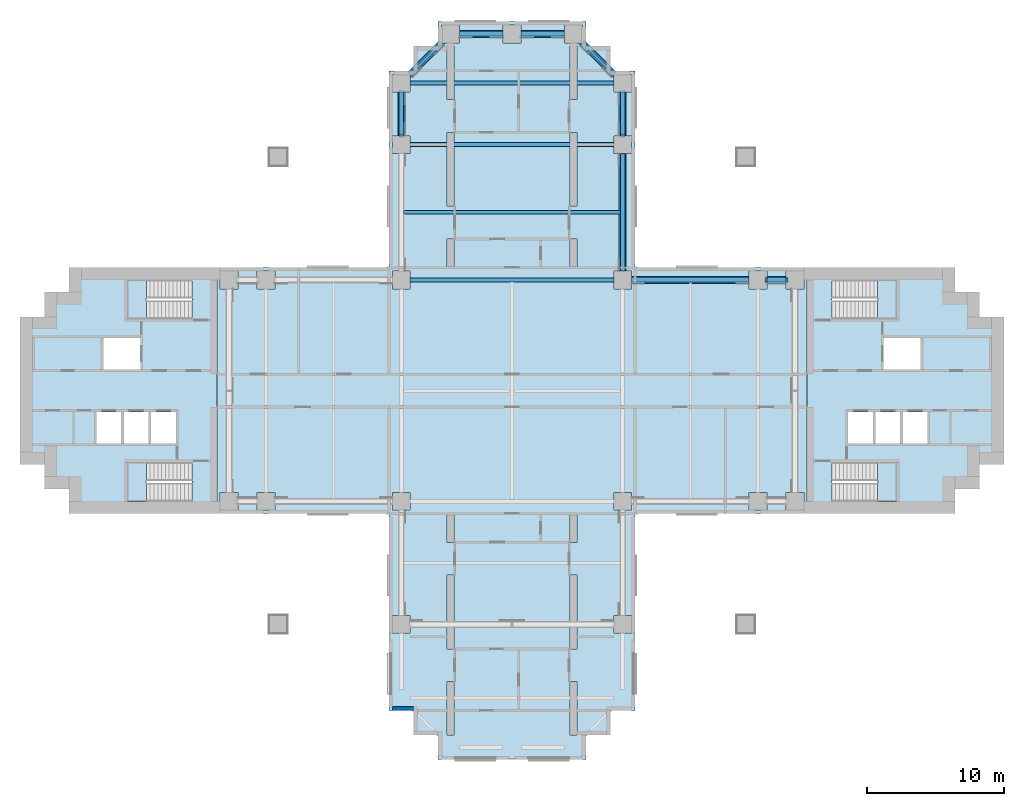
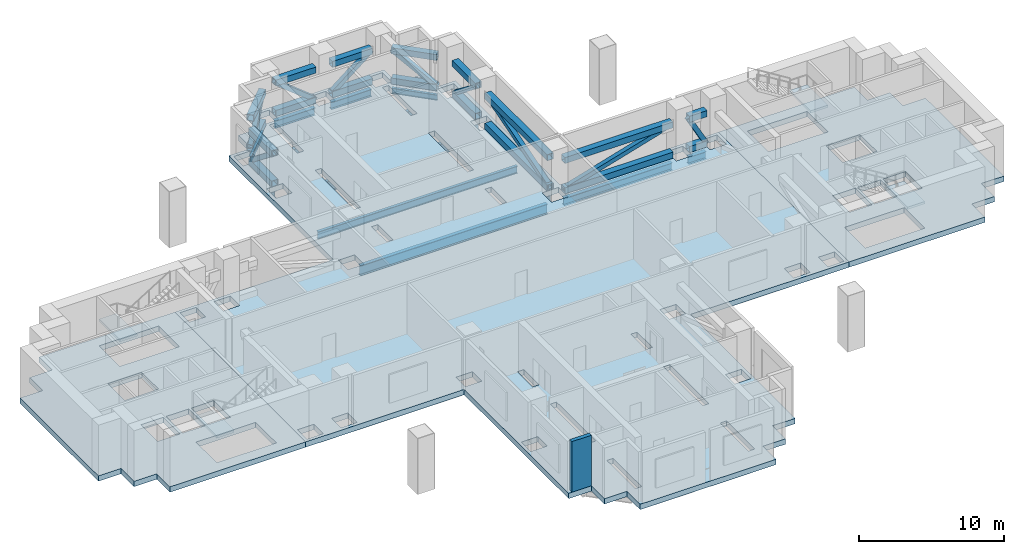
# One storey, part 2 of 10: 27 members, 13 beams, 7 slabs, 1 wall, 4 elements without a shape of their own.
"""IFC4 building model written with IfcOpenShell, lengths in metres."""

import ifcopenshell
import ifcopenshell.guid

model = None  # the IFC model being written
_history = None  # IfcOwnerHistory: only IFC2X3 demands one
_inside = {}  # id of a spatial element -> (the spatial element, [elements in it])
_under = {}  # id of a project, library or spatial element -> (it, [spatial elements below it])
_declared = {}  # id of a project -> (the project, [libraries it declares])
_typed = {}  # id of a type object -> (the type object, [elements of that type])
_made_of = {}  # id of a material, layer set ... -> (it, [elements and type objects made of it])


def new_model(schema):
    """Start an empty IFC model of exactly this schema.

    Asked for "IFC4X3", IfcOpenShell would pick the latest addendum, in which some entities
    have other attributes; the version numbers below select the first issue.
    IFC2X3 requires an IfcOwnerHistory on every rooted entity: one is made here for all.
    """
    global model, _history
    if schema == "IFC4X3":
        model = ifcopenshell.file(schema_version=(4, 3, 0, 0))
    else:
        model = ifcopenshell.file(schema=schema)
    _inside.clear()
    _under.clear()
    _declared.clear()
    _typed.clear()
    _made_of.clear()
    _history = None
    if model.schema == "IFC2X3":
        org = make("IfcOrganization", Name="unknown")
        user = make(
            "IfcPersonAndOrganization",
            ThePerson=make("IfcPerson", FamilyName="unknown"),
            TheOrganization=org,
        )
        app = make(
            "IfcApplication",
            ApplicationDeveloper=org,
            Version="unknown",
            ApplicationFullName="unknown",
            ApplicationIdentifier="unknown",
        )
        _history = make(
            "IfcOwnerHistory",
            OwningUser=user,
            OwningApplication=app,
            ChangeAction="ADDED",
            CreationDate=0,
        )
    return model


def make(cls, **values):
    """One entity of the class cls with the attributes given. An attribute that is None is left unset."""
    return model.create_entity(
        cls, **{name: value for name, value in values.items() if value is not None}
    )


def rooted(cls, **values):
    """An entity with a GlobalId (a new one), such as an element, a storey or a relation."""
    return make(cls, GlobalId=ifcopenshell.guid.new(), OwnerHistory=_history, **values)


def si_unit(unit_type, name, prefix=None):
    """IfcSIUnit, for example si_unit("LENGTHUNIT", "METRE", prefix="MILLI")."""
    return make("IfcSIUnit", UnitType=unit_type, Prefix=prefix, Name=name)


def assignment(units):
    """IfcUnitAssignment: the units of a project."""
    return None if units is None else make("IfcUnitAssignment", Units=units)


def point(xyz):
    """IfcCartesianPoint."""
    return None if xyz is None else make("IfcCartesianPoint", Coordinates=xyz)


def direction(xyz):
    """IfcDirection."""
    return None if xyz is None else make("IfcDirection", DirectionRatios=xyz)


def frame(location, z_axis=None, x_axis=None):
    """IfcAxis2Placement3D, a coordinate frame: its origin and axes. An axis left out is left unset."""
    return make(
        "IfcAxis2Placement3D",
        Location=point(location),
        Axis=direction(z_axis),
        RefDirection=direction(x_axis),
    )


def frame_2d(location, x_axis=None):
    """IfcAxis2Placement2D, a coordinate frame in the plane: its origin and x axis."""
    return make(
        "IfcAxis2Placement2D", Location=point(location), RefDirection=direction(x_axis)
    )


def origin():
    """The frame at (0, 0, 0) with its axes left unset."""
    return frame((0.0, 0.0, 0.0))


def origin_2d():
    """The frame at (0, 0) in the plane with its x axis left unset."""
    return frame_2d((0.0, 0.0))


def place(relative_to, where):
    """IfcLocalPlacement: puts the frame where relative to a parent placement (None: the world)."""
    return make(
        "IfcLocalPlacement", PlacementRelTo=relative_to, RelativePlacement=where
    )


def context(
    kind, dimensions, precision=None, world=None, true_north=None, identifier=None
):
    """IfcGeometricRepresentationContext, for example the 3D "Model" context."""
    return make(
        "IfcGeometricRepresentationContext",
        ContextIdentifier=identifier,
        ContextType=kind,
        CoordinateSpaceDimension=dimensions,
        Precision=precision,
        WorldCoordinateSystem=world,
        TrueNorth=true_north,
    )


def subcontext(parent, identifier, kind, view, scale=None):
    """IfcGeometricRepresentationSubContext, for example "Body" below "Model"."""
    return make(
        "IfcGeometricRepresentationSubContext",
        ContextIdentifier=identifier,
        ContextType=kind,
        ParentContext=parent,
        TargetScale=scale,
        TargetView=view,
    )


def project(units=None, contexts=None):
    """IfcProject with its units and contexts."""
    return rooted(
        "IfcProject",
        Name="project",
        RepresentationContexts=contexts,
        UnitsInContext=assignment(units),
    )


def spatial(cls, under=None, at=None, **own):
    """A site, building, storey or space (cls), placed at a placement, below another one or the project."""
    s = rooted(cls, ObjectPlacement=at, **own)
    if under is not None:
        _under.setdefault(under.id(), (under, []))[1].append(s)
    return s


def polyline(points):
    """IfcPolyline through the points."""
    return make("IfcPolyline", Points=[point(p) for p in points])


def profile(cls, at=None, kind="AREA", **sizes):
    """A parametric profile (cls). Its sizes go by their IFC names, for example OverallWidth=200.0."""
    return make(cls, ProfileType=kind, Position=at, **sizes)


def rectangle(**sizes):
    """IfcRectangleProfileDef."""
    return profile("IfcRectangleProfileDef", **sizes)


def hollow_rectangle(**sizes):
    """IfcRectangleHollowProfileDef."""
    return profile("IfcRectangleHollowProfileDef", **sizes)


def i_section(**sizes):
    """IfcIShapeProfileDef."""
    return profile("IfcIShapeProfileDef", **sizes)


def outline(outer, holes=None, kind="AREA"):
    """IfcArbitraryClosedProfileDef: a profile drawn as a closed curve; with holes, ...WithVoids."""
    if holes is None:
        return make("IfcArbitraryClosedProfileDef", ProfileType=kind, OuterCurve=outer)
    return make(
        "IfcArbitraryProfileDefWithVoids",
        ProfileType=kind,
        OuterCurve=outer,
        InnerCurves=holes,
    )


def extrude(swept, where, along, depth):
    """IfcExtrudedAreaSolid: the profile swept, set in the frame where, extruded along a direction by depth."""
    return make(
        "IfcExtrudedAreaSolid",
        SweptArea=swept,
        Position=where,
        ExtrudedDirection=direction(along),
        Depth=depth,
    )


def shape(context_of_items, identifier, shape_type, items):
    """IfcShapeRepresentation: the items that make up one representation, for example the "Body"."""
    return make(
        "IfcShapeRepresentation",
        ContextOfItems=context_of_items,
        RepresentationIdentifier=identifier,
        RepresentationType=shape_type,
        Items=items,
    )


def material(Name=None, Category=None):
    """IfcMaterial."""
    return make("IfcMaterial", Name=Name, Category=Category)


def layer(
    of_material, thickness, ventilated=None, Name=None, Category=None, Priority=None
):
    """IfcMaterialLayer: one layer of a wall or slab, of a material (None: an air gap)."""
    return make(
        "IfcMaterialLayer",
        Material=of_material,
        LayerThickness=thickness,
        IsVentilated=ventilated,
        Name=Name,
        Category=Category,
        Priority=Priority,
    )


def layer_set(layers, Name=None):
    """IfcMaterialLayerSet."""
    return make("IfcMaterialLayerSet", MaterialLayers=layers, LayerSetName=Name)


def material_profile(
    of_material, cross_section, Name=None, Category=None, Priority=None
):
    """IfcMaterialProfile: a cross section and its material."""
    return make(
        "IfcMaterialProfile",
        Name=Name,
        Material=of_material,
        Profile=cross_section,
        Priority=Priority,
        Category=Category,
    )


def profile_set(profiles, Name=None, composite=None):
    """IfcMaterialProfileSet."""
    return make(
        "IfcMaterialProfileSet",
        Name=Name,
        MaterialProfiles=profiles,
        CompositeProfile=composite,
    )


def made_of(thing, what):
    """Note that an element or type object is made of a material, layer set ...; save() writes the relation."""
    if what is not None:
        _made_of.setdefault(what.id(), (what, []))[1].append(thing)
    return thing


def type_object(cls, material=None, **own):
    """A type object (cls), such as IfcWallType, which elements share."""
    return made_of(rooted(cls, **own), material)


def element(
    cls,
    number,
    at=None,
    inside=None,
    cuts=None,
    type_object=None,
    material=None,
    context=None,
    identifier="Body",
    shape_type=None,
    held_by="IfcProductDefinitionShape",
    body=None,
    shapes=None,
    **own,
):
    """One element of the class cls, such as IfcWall. Its Tag is "e" and its number.

    at: its placement. inside: the storey or other place that contains it. cuts: it is an
    opening in that element (IfcRelVoidsElement). A single representation is given by context,
    identifier, shape_type and body (its items); several are given by shapes. held_by: the class
    of the entity that holds the representations. save() writes the other relations.
    """
    e = rooted(cls, Tag="e%d" % number, ObjectPlacement=at, **own)
    if body is not None:
        shapes = [shape(context, identifier, shape_type, body)]
    if shapes is not None:
        e.Representation = make(held_by, Representations=shapes)
    if inside is not None:
        _inside.setdefault(inside.id(), (inside, []))[1].append(e)
    if cuts is not None:
        rooted(
            "IfcRelVoidsElement", RelatingBuildingElement=cuts, RelatedOpeningElement=e
        )
    if type_object is not None:
        _typed.setdefault(type_object.id(), (type_object, []))[1].append(e)
    return made_of(e, material)


def aggregate(whole, parts):
    """IfcRelAggregates: a whole, such as a stair, and the parts it consists of."""
    return rooted("IfcRelAggregates", RelatingObject=whole, RelatedObjects=parts)


def save(model, path):
    """Write the relations noted so far, then the file.

    IfcRelAggregates (storeys below a building ...), IfcRelContainedInSpatialStructure (elements
    in a storey), IfcRelDefinesByType, IfcRelAssociatesMaterial and IfcRelDeclares: one each for
    every whole, place, type object, material and project.
    """
    for whole, parts in _under.values():
        aggregate(whole, parts)
    for where, things in _inside.values():
        rooted(
            "IfcRelContainedInSpatialStructure",
            RelatedElements=things,
            RelatingStructure=where,
        )
    for kind, things in _typed.values():
        rooted("IfcRelDefinesByType", RelatedObjects=things, RelatingType=kind)
    for what, things in _made_of.values():
        rooted("IfcRelAssociatesMaterial", RelatedObjects=things, RelatingMaterial=what)
    for by, libraries in _declared.values():
        rooted("IfcRelDeclares", RelatingContext=by, RelatedDefinitions=libraries)
    model.write(path)


model = new_model("IFC4")

# Units and contexts
model_context = context("Model", 3, precision=1e-05, world=origin(), true_north=direction((0.0, 1.0)))
body_context = subcontext(model_context, "Body", "Model", "MODEL_VIEW")
ifc_project = project(units=[si_unit("LENGTHUNIT", "METRE"), si_unit("AREAUNIT", "SQUARE_METRE"), si_unit("VOLUMEUNIT", "CUBIC_METRE"), si_unit("PLANEANGLEUNIT", "RADIAN"), si_unit("MASSUNIT", "GRAM", prefix="KILO")], contexts=[model_context])

# Site, building, storey
site_placement = place(None, origin())
site = spatial("IfcSite", under=ifc_project, at=site_placement, CompositionType="ELEMENT")
building_placement = place(site_placement, origin())
building = spatial("IfcBuilding", under=site, at=building_placement, Name="Perihelion Cross Residences", CompositionType="ELEMENT")
storey_placement = place(building_placement, frame((0.0, 0.0, 97.89990234375)))
storey = spatial("IfcBuildingStorey", under=building, at=storey_placement, Name="L22", CompositionType="ELEMENT", Elevation=97.89990234375)

# Members
ifc_material_1 = material(Name="Steel S355", Category="steel")
ifc_material_profile_1 = material_profile(ifc_material_1, hollow_rectangle(XDim=0.508056640625, YDim=0.508056640625, WallThickness=0.022216796875, at=origin_2d()), Name="HSS508x508x22.2")
ifc_profile_set_1 = profile_set([ifc_material_profile_1], Name="Steel S355")
member_type_1 = type_object("IfcMemberType", Name="Belt truss chord HSS508x508x22.2", PredefinedType="CHORD", material=ifc_profile_set_1)
for number, where, z_axis, x_axis, name in (
    (1, (20.050048828125, 8.10009765625, 2.796142578125), (-1.0, 0.0, 0.0), (0.0, -1.0, 0.0), "Belt truss BT1 L22 top no. 15"),
    (2, (20.050048828125, 8.10009765625, 0.254150390625), (-1.0, 0.0, 0.0), (0.0, -1.0, 0.0), "Belt truss BT1 L22 bottom no. 12"),
):
    element("IfcMember", number, at=place(storey_placement, frame(where, z_axis=z_axis, x_axis=x_axis)), inside=storey, type_object=member_type_1, Name=name, PredefinedType="CHORD", context=body_context, shape_type="SweptSolid", body=[
        extrude(hollow_rectangle(XDim=0.508056640625, YDim=0.508056640625, WallThickness=0.022216796875, at=origin_2d()), origin(), (0.0, 0.0, 1.0), 1.400146484375),
    ])
for number, where, z_axis, x_axis, name in (
    (3, (17.35009765625, 8.10009765625, 2.796142578125), (-1.0, 0.0, 0.0), (0.0, -1.0, 0.0), "Belt truss BT1 L22 top no. 13"),
    (4, (17.35009765625, 8.10009765625, 0.254150390625), (-1.0, 0.0, 0.0), (0.0, -1.0, 0.0), "Belt truss BT1 L22 bottom no. 11"),
    (5, (8.10009765625, 8.75, 2.796142578125), (0.0, 1.0, 0.0), (-1.0, 0.0, 0.0), "Belt truss BT1 L22 top no. 21"),
    (6, (8.10009765625, 8.75, 0.254150390625), (0.0, 1.0, 0.0), (-1.0, 0.0, 0.0), "Belt truss BT1 L22 bottom no. 18"),
):
    element("IfcMember", number, at=place(storey_placement, frame(where, z_axis=z_axis, x_axis=x_axis)), inside=storey, type_object=member_type_1, Name=name, PredefinedType="CHORD", context=body_context, shape_type="SweptSolid", body=[
        extrude(hollow_rectangle(XDim=0.508056640625, YDim=0.508056640625, WallThickness=0.022216796875, at=origin_2d()), origin(), (0.0, 0.0, 1.0), 8.60009765625),
    ])
for number, where, z_axis, x_axis, name in (
    (7, (8.10009765625, 18.64990234375, 2.796142578125), (0.0, 1.0, 0.0), (-1.0, 0.0, 0.0), "Belt truss BT1 L22 top no. 19"),
    (8, (8.10009765625, 18.64990234375, 0.254150390625), (0.0, 1.0, 0.0), (-1.0, 0.0, 0.0), "Belt truss BT1 L22 bottom no. 16"),
):
    element("IfcMember", number, at=place(storey_placement, frame(where, z_axis=z_axis, x_axis=x_axis)), inside=storey, type_object=member_type_1, Name=name, PredefinedType="CHORD", context=body_context, shape_type="SweptSolid", body=[
        extrude(hollow_rectangle(XDim=0.508056640625, YDim=0.508056640625, WallThickness=0.022216796875, at=origin_2d()), origin(), (0.0, 0.0, 1.0), 3.2001953125),
    ])
for number, where, z_axis, x_axis, name in (
    (9, (7.449951171875, 23.14990234375, 2.796142578125), (-0.707106781187, 0.707106781187, 0.0), (-0.707106781187, -0.707106781187, 0.0), "Belt truss BT1 L22 top no. 20"),
    (10, (7.449951171875, 23.14990234375, 0.254150390625), (-0.707106781187, 0.707106781187, 0.0), (-0.707106781187, -0.707106781187, 0.0), "Belt truss BT1 L22 bottom no. 17"),
):
    element("IfcMember", number, at=place(storey_placement, frame(where, z_axis=z_axis, x_axis=x_axis)), inside=storey, type_object=member_type_1, Name=name, PredefinedType="CHORD", context=body_context, shape_type="SweptSolid", body=[
        extrude(hollow_rectangle(XDim=0.508056640625, YDim=0.508056640625, WallThickness=0.022216796875, at=origin_2d()), origin(), (0.0, 0.0, 1.0), 3.252685546875),
    ])
for number, where, z_axis, x_axis, name in (
    (11, (3.85009765625, 26.10009765625, 2.796142578125), (-1.0, 0.0, 0.0), (0.0, -1.0, 0.0), "Belt truss BT1 L22 top no. 16"),
    (12, (3.85009765625, 26.10009765625, 0.254150390625), (-1.0, 0.0, 0.0), (0.0, -1.0, 0.0), "Belt truss BT1 L22 bottom no. 13"),
    (13, (-0.64990234375, 26.10009765625, 2.796142578125), (-1.0, 0.0, 0.0), (0.0, -1.0, 0.0), "Belt truss BT1 L22 top no. 11"),
    (14, (-0.64990234375, 26.10009765625, 0.254150390625), (-1.0, 0.0, 0.0), (0.0, -1.0, 0.0), "Belt truss BT1 L22 bottom no. 9"),
):
    element("IfcMember", number, at=place(storey_placement, frame(where, z_axis=z_axis, x_axis=x_axis)), inside=storey, type_object=member_type_1, Name=name, PredefinedType="CHORD", context=body_context, shape_type="SweptSolid", body=[
        extrude(hollow_rectangle(XDim=0.508056640625, YDim=0.508056640625, WallThickness=0.022216796875, at=origin_2d()), origin(), (0.0, 0.0, 1.0), 3.2001953125),
    ])
for number, where, z_axis, x_axis, name in (
    (15, (-5.14990234375, 25.449951171875, 2.796142578125), (-0.707106781187, -0.707106781187, 0.0), (0.707106781187, -0.707106781187, 0.0), "Belt truss BT1 L22 top no. 5"),
    (16, (-5.14990234375, 25.449951171875, 0.254150390625), (-0.707106781187, -0.707106781187, 0.0), (0.707106781187, -0.707106781187, 0.0), "Belt truss BT1 L22 bottom no. 4"),
):
    element("IfcMember", number, at=place(storey_placement, frame(where, z_axis=z_axis, x_axis=x_axis)), inside=storey, type_object=member_type_1, Name=name, PredefinedType="CHORD", context=body_context, shape_type="SweptSolid", body=[
        extrude(hollow_rectangle(XDim=0.508056640625, YDim=0.508056640625, WallThickness=0.022216796875, at=origin_2d()), origin(), (0.0, 0.0, 1.0), 3.252685546875),
    ])
for number, where, z_axis, x_axis, name in (
    (17, (-8.10009765625, 21.85009765625, 2.796142578125), (0.0, -1.0, 0.0), (1.0, 0.0, 0.0), "Belt truss BT1 L22 top no. 9"),
    (18, (-8.10009765625, 21.85009765625, 0.254150390625), (0.0, -1.0, 0.0), (1.0, 0.0, 0.0), "Belt truss BT1 L22 bottom no. 7"),
):
    element("IfcMember", number, at=place(storey_placement, frame(where, z_axis=z_axis, x_axis=x_axis)), inside=storey, type_object=member_type_1, Name=name, PredefinedType="CHORD", context=body_context, shape_type="SweptSolid", body=[
        extrude(hollow_rectangle(XDim=0.508056640625, YDim=0.508056640625, WallThickness=0.022216796875, at=origin_2d()), origin(), (0.0, 0.0, 1.0), 3.2001953125),
    ])
ifc_material_2 = material(Name="Steel S355", Category="steel")
ifc_material_profile_2 = material_profile(ifc_material_2, hollow_rectangle(XDim=0.35595703125, YDim=0.35595703125, WallThickness=0.015869140625, at=origin_2d()), Name="HSS355.6x355.6x15.9")
ifc_profile_set_2 = profile_set([ifc_material_profile_2], Name="Steel S355")
member_type_2 = type_object("IfcMemberType", Name="Belt truss diagonal HSS355.6x355.6x15.9", PredefinedType="BRACE", material=ifc_profile_set_2)
member_1_placement = place(storey_placement, frame((20.050048828125, 8.10009765625, 0.254150390625), z_axis=(-0.482461195839, 0.0, 0.875917344565), x_axis=(0.0, -1.0, 0.0)))
element("IfcMember", 19, at=member_1_placement, inside=storey, type_object=member_type_2, Name="Belt truss BT2 L22 diagonal no. 12", PredefinedType="BRACE", context=body_context, shape_type="SweptSolid", body=[
    extrude(hollow_rectangle(XDim=0.35595703125, YDim=0.35595703125, WallThickness=0.015869140625, at=origin_2d()), origin(), (0.0, 0.0, 1.0), 2.902099609375),
])
for number, where, z_axis, x_axis, name in (
    (20, (8.75, 8.10009765625, 0.254150390625), (0.958985757642, 0.0, 0.283454258462), (0.0, 1.0, 0.0), "Belt truss BT2 L22 diagonal no. 11"),
    (21, (8.10009765625, 8.75, 0.254150390625), (0.0, 0.958985757642, 0.283454258462), (-1.0, 0.0, 0.0), "Belt truss BT2 L22 diagonal no. 18"),
):
    element("IfcMember", number, at=place(storey_placement, frame(where, z_axis=z_axis, x_axis=x_axis)), inside=storey, type_object=member_type_2, Name=name, PredefinedType="BRACE", context=body_context, shape_type="SweptSolid", body=[
        extrude(hollow_rectangle(XDim=0.35595703125, YDim=0.35595703125, WallThickness=0.015869140625, at=origin_2d()), origin(), (0.0, 0.0, 1.0), 8.968017578125),
    ])
member_2_placement = place(storey_placement, frame((8.10009765625, 21.85009765625, 0.254150390625), z_axis=(0.0, -0.783032121533, 0.621981267119), x_axis=(1.0, 0.0, 0.0)))
element("IfcMember", 22, at=member_2_placement, inside=storey, type_object=member_type_2, Name="Belt truss BT2 L22 diagonal no. 16", PredefinedType="BRACE", context=body_context, shape_type="SweptSolid", body=[
    extrude(hollow_rectangle(XDim=0.35595703125, YDim=0.35595703125, WallThickness=0.015869140625, at=origin_2d()), origin(), (0.0, 0.0, 1.0), 4.0869140625),
])
member_3_placement = place(storey_placement, frame((7.449951171875, 23.14990234375, 0.254150390625), z_axis=(-0.557153117059, 0.557153117059, 0.615760349732), x_axis=(-0.707106781187, -0.707106781187, 0.0)))
element("IfcMember", 23, at=member_3_placement, inside=storey, type_object=member_type_2, Name="Belt truss BT2 L22 diagonal no. 17", PredefinedType="BRACE", context=body_context, shape_type="SweptSolid", body=[
    extrude(hollow_rectangle(XDim=0.35595703125, YDim=0.35595703125, WallThickness=0.015869140625, at=origin_2d()), origin(), (0.0, 0.0, 1.0), 4.128173828125),
])
for number, where, z_axis, x_axis, name in (
    (24, (0.64990234375, 26.10009765625, 0.254150390625), (0.783032121533, 0.0, 0.621981267119), (0.0, 1.0, 0.0), "Belt truss BT2 L22 diagonal no. 13"),
    (25, (-0.64990234375, 26.10009765625, 0.254150390625), (-0.783032121533, 0.0, 0.621981267119), (0.0, -1.0, 0.0), "Belt truss BT2 L22 diagonal no. 9"),
):
    element("IfcMember", number, at=place(storey_placement, frame(where, z_axis=z_axis, x_axis=x_axis)), inside=storey, type_object=member_type_2, Name=name, PredefinedType="BRACE", context=body_context, shape_type="SweptSolid", body=[
        extrude(hollow_rectangle(XDim=0.35595703125, YDim=0.35595703125, WallThickness=0.015869140625, at=origin_2d()), origin(), (0.0, 0.0, 1.0), 4.0869140625),
    ])
member_4_placement = place(storey_placement, frame((-7.449951171875, 23.14990234375, 0.254150390625), z_axis=(0.557153117059, 0.557153117059, 0.615760349732), x_axis=(-0.707106781187, 0.707106781187, 0.0)))
element("IfcMember", 26, at=member_4_placement, inside=storey, type_object=member_type_2, Name="Belt truss BT2 L22 diagonal no. 4", PredefinedType="BRACE", context=body_context, shape_type="SweptSolid", body=[
    extrude(hollow_rectangle(XDim=0.35595703125, YDim=0.35595703125, WallThickness=0.015869140625, at=origin_2d()), origin(), (0.0, 0.0, 1.0), 4.128173828125),
])
member_5_placement = place(storey_placement, frame((-8.10009765625, 21.85009765625, 0.254150390625), z_axis=(0.0, -0.783032121533, 0.621981267119), x_axis=(1.0, 0.0, 0.0)))
element("IfcMember", 27, at=member_5_placement, inside=storey, type_object=member_type_2, Name="Belt truss BT2 L22 diagonal no. 7", PredefinedType="BRACE", context=body_context, shape_type="SweptSolid", body=[
    extrude(hollow_rectangle(XDim=0.35595703125, YDim=0.35595703125, WallThickness=0.015869140625, at=origin_2d()), origin(), (0.0, 0.0, 1.0), 4.0869140625),
])

# Beams
ifc_material_3 = material(Name="Steel S355", Category="steel")
ifc_material_profile_3 = material_profile(ifc_material_3, i_section(OverallWidth=0.324951171875, OverallDepth=0.616943359375, WebThickness=0.013916015625, FlangeThickness=0.021484375, at=origin_2d()), Name="W610x174")
ifc_profile_set_3 = profile_set([ifc_material_profile_3], Name="Steel S355")
beam_type_1 = type_object("IfcBeamType", Name="Edge beam W610x174", PredefinedType="SPANDREL", material=ifc_profile_set_3)
beam_1_placement = place(storey_placement, frame((20.050048828125, 8.10009765625, -0.75830078125), z_axis=(-1.0, 0.0, 0.0), x_axis=(0.0, -1.0, 0.0)))
element("IfcBeam", 28, at=beam_1_placement, inside=storey, type_object=beam_type_1, Name="Edge beam SB2 L22 no. 14", PredefinedType="SPANDREL", context=body_context, shape_type="SweptSolid", body=[
    extrude(i_section(OverallWidth=0.324951171875, OverallDepth=0.616943359375, WebThickness=0.013916015625, FlangeThickness=0.021484375, at=origin_2d()), origin(), (0.0, 0.0, 1.0), 1.400146484375),
])
for number, where, z_axis, x_axis, name in (
    (29, (17.35009765625, 8.10009765625, -0.75830078125), (-1.0, 0.0, 0.0), (0.0, -1.0, 0.0), "Edge beam SB2 L22 no. 13"),
    (30, (8.10009765625, 8.75, -0.75830078125), (0.0, 1.0, 0.0), (-1.0, 0.0, 0.0), "Edge beam SB2 L22 no. 20"),
):
    element("IfcBeam", number, at=place(storey_placement, frame(where, z_axis=z_axis, x_axis=x_axis)), inside=storey, type_object=beam_type_1, Name=name, PredefinedType="SPANDREL", context=body_context, shape_type="SweptSolid", body=[
        extrude(i_section(OverallWidth=0.324951171875, OverallDepth=0.616943359375, WebThickness=0.013916015625, FlangeThickness=0.021484375, at=origin_2d()), origin(), (0.0, 0.0, 1.0), 8.60009765625),
    ])
for number, where, z_axis, x_axis, name in (
    (31, (8.10009765625, 18.64990234375, -0.75830078125), (0.0, 1.0, 0.0), (-1.0, 0.0, 0.0), "Edge beam SB2 L22 no. 19"),
    (32, (3.85009765625, 26.10009765625, -0.75830078125), (-1.0, 0.0, 0.0), (0.0, -1.0, 0.0), "Edge beam SB2 L22 no. 15"),
    (33, (-0.64990234375, 26.10009765625, -0.75830078125), (-1.0, 0.0, 0.0), (0.0, -1.0, 0.0), "Edge beam SB2 L22 no. 11"),
    (34, (-8.10009765625, 21.85009765625, -0.75830078125), (0.0, -1.0, 0.0), (1.0, 0.0, 0.0), "Edge beam SB2 L22 no. 8"),
):
    element("IfcBeam", number, at=place(storey_placement, frame(where, z_axis=z_axis, x_axis=x_axis)), inside=storey, type_object=beam_type_1, Name=name, PredefinedType="SPANDREL", context=body_context, shape_type="SweptSolid", body=[
        extrude(i_section(OverallWidth=0.324951171875, OverallDepth=0.616943359375, WebThickness=0.013916015625, FlangeThickness=0.021484375, at=origin_2d()), origin(), (0.0, 0.0, 1.0), 3.2001953125),
    ])
ifc_material_4 = material(Name="Steel S355", Category="steel")
ifc_material_profile_4 = material_profile(ifc_material_4, i_section(OverallWidth=0.304931640625, OverallDepth=0.904052734375, WebThickness=0.01513671875, FlangeThickness=0.02001953125, at=origin_2d()), Name="W920x201")
ifc_profile_set_4 = profile_set([ifc_material_profile_4], Name="Steel S355")
beam_type_2 = type_object("IfcBeamType", Name="Floor girder W920x201", PredefinedType="BEAM", material=ifc_profile_set_4)
for number, where, z_axis, x_axis, name in (
    (35, (-7.449951171875, 18.0, -0.90185546875), (1.0, 0.0, 0.0), (0.0, 1.0, 0.0), "Girder G2 L22 no. 5"),
    (36, (-7.449951171875, 22.5, -0.90185546875), (1.0, 0.0, 0.0), (0.0, 1.0, 0.0), "Girder G2 L22 no. 6"),
):
    element("IfcBeam", number, at=place(storey_placement, frame(where, z_axis=z_axis, x_axis=x_axis)), inside=storey, type_object=beam_type_2, Name=name, PredefinedType="BEAM", context=body_context, shape_type="SweptSolid", body=[
        extrude(i_section(OverallWidth=0.304931640625, OverallDepth=0.904052734375, WebThickness=0.01513671875, FlangeThickness=0.02001953125, at=origin_2d()), origin(), (0.0, 0.0, 1.0), 14.89990234375),
    ])
ifc_material_5 = material(Name="Steel S355", Category="steel")
ifc_material_profile_5 = material_profile(ifc_material_5, i_section(OverallWidth=0.22900390625, OverallDepth=0.612060546875, WebThickness=0.011962890625, FlangeThickness=0.01953125, at=origin_2d()), Name="W610x125")
ifc_profile_set_5 = profile_set([ifc_material_profile_5], Name="Steel S355")
beam_type_3 = type_object("IfcBeamType", Name="Floor joist W610x125", PredefinedType="JOIST", material=ifc_profile_set_5)
beam_2_placement = place(storey_placement, frame((-7.9375, 13.050048828125, -0.755859375), z_axis=(1.0, 0.0, 0.0), x_axis=(0.0, 1.0, 0.0)))
element("IfcBeam", 37, at=beam_2_placement, inside=storey, type_object=beam_type_3, Name="Joist J3 L22 no. 4", PredefinedType="JOIST", context=body_context, shape_type="SweptSolid", body=[
    extrude(i_section(OverallWidth=0.22900390625, OverallDepth=0.612060546875, WebThickness=0.011962890625, FlangeThickness=0.01953125, at=origin_2d()), origin(), (0.0, 0.0, 1.0), 15.875),
])
ifc_material_6 = material(Name="Steel S355", Category="steel")
ifc_material_profile_6 = material_profile(ifc_material_6, i_section(OverallWidth=0.2919921875, OverallDepth=0.85888671875, WebThickness=0.01708984375, FlangeThickness=0.031005859375, at=origin_2d()), Name="W840x251")
ifc_profile_set_6 = profile_set([ifc_material_profile_6], Name="Steel S355")
beam_type_4 = type_object("IfcBeamType", Name="Hub ring girder W840x251", PredefinedType="BEAM", material=ifc_profile_set_6)
beam_3_placement = place(storey_placement, frame((7.449951171875, 8.10009765625, -0.87939453125), z_axis=(-1.0, 0.0, 0.0), x_axis=(0.0, -1.0, 0.0)))
element("IfcBeam", 38, at=beam_3_placement, inside=storey, type_object=beam_type_4, Name="Hub ring girder RG2 L22 no. 4", PredefinedType="BEAM", context=body_context, shape_type="SweptSolid", body=[
    extrude(i_section(OverallWidth=0.2919921875, OverallDepth=0.85888671875, WebThickness=0.01708984375, FlangeThickness=0.031005859375, at=origin_2d()), origin(), (0.0, 0.0, 1.0), 14.89990234375),
])
ifc_material_7 = material(Name="Steel S355", Category="steel")
ifc_material_profile_7 = material_profile(ifc_material_7, i_section(OverallWidth=0.194091796875, OverallDepth=0.469970703125, WebThickness=0.0126953125, FlangeThickness=0.0205078125, at=origin_2d()), Name="W460x106")
ifc_profile_set_7 = profile_set([ifc_material_profile_7], Name="Steel S355")
beam_type_5 = type_object("IfcBeamType", Name="Serration edge beam W460x106", PredefinedType="BEAM", material=ifc_profile_set_7)
for number, where, z_axis, x_axis, name in (
    (39, (7.449951171875, 23.14990234375, -0.684814453125), (-0.707106781187, 0.707106781187, 0.0), (-0.707106781187, -0.707106781187, 0.0), "Serration edge beam EB2 L22 no. 4"),
    (40, (-5.14990234375, 25.449951171875, -0.684814453125), (-0.707106781187, -0.707106781187, 0.0), (0.707106781187, -0.707106781187, 0.0), "Serration edge beam EB2 L22 no. 1"),
):
    element("IfcBeam", number, at=place(storey_placement, frame(where, z_axis=z_axis, x_axis=x_axis)), inside=storey, type_object=beam_type_5, Name=name, PredefinedType="BEAM", context=body_context, shape_type="SweptSolid", body=[
        extrude(i_section(OverallWidth=0.194091796875, OverallDepth=0.469970703125, WebThickness=0.0126953125, FlangeThickness=0.0205078125, at=origin_2d()), origin(), (0.0, 0.0, 1.0), 3.252685546875),
    ])

# Slabs
ifc_material_8 = material(Name="Concrete C40/50", Category="concrete")
ifc_layer_1 = layer(ifc_material_8, 0.449951171875)
ifc_layer_set_1 = layer_set([ifc_layer_1], Name="Core floor slab 450")
slab_type_1 = type_object("IfcSlabType", Name="Core floor slab 450", PredefinedType="FLOOR", material=ifc_layer_set_1)
slab_1_placement = place(storey_placement, frame((0.0, 0.0, -0.449951171875)))
element("IfcSlab", 41, at=slab_1_placement, inside=storey, type_object=slab_type_1, Name="East core floor slab", PredefinedType="FLOOR", context=body_context, shape_type="SweptSolid", body=[
    extrude(outline(polyline([(32.39990234375, 7.199951171875), (34.199951171875, 7.199951171875), (34.199951171875, 5.39990234375), (36.0, 5.39990234375), (36.0, -5.39990234375), (34.199951171875, -5.39990234375), (34.199951171875, -7.199951171875), (32.39990234375, -7.199951171875), (32.39990234375, -9.0), (21.60009765625, -9.0), (21.60009765625, 9.0), (32.39990234375, 9.0), (32.39990234375, 7.199951171875)]), holes=[polyline([(28.14990234375, -8.10009765625), (28.14990234375, -5.25), (23.405029296875, -5.25), (23.405029296875, -8.10009765625), (28.14990234375, -8.10009765625)]), polyline([(24.60009765625, -1.550048828125), (24.60009765625, -3.85009765625), (26.39990234375, -3.85009765625), (26.39990234375, -1.550048828125), (24.60009765625, -1.550048828125)]), polyline([(26.60009765625, -1.550048828125), (26.60009765625, -3.85009765625), (28.39990234375, -3.85009765625), (28.39990234375, -1.550048828125), (26.60009765625, -1.550048828125)]), polyline([(28.60009765625, -3.85009765625), (30.39990234375, -3.85009765625), (30.39990234375, -1.550048828125), (28.60009765625, -1.550048828125), (28.60009765625, -3.85009765625)]), polyline([(27.199951171875, 3.85009765625), (27.199951171875, 1.550048828125), (29.89990234375, 1.550048828125), (29.89990234375, 3.85009765625), (27.199951171875, 3.85009765625)]), polyline([(23.405029296875, 5.25), (28.14990234375, 5.25), (28.14990234375, 8.10009765625), (23.405029296875, 8.10009765625), (23.405029296875, 5.25)])]), origin(), (0.0, 0.0, 1.0), 0.449951171875),
])
slab_2_placement = place(storey_placement, frame((0.0, 0.0, -0.449951171875)))
element("IfcSlab", 42, at=slab_2_placement, inside=storey, type_object=slab_type_1, Name="West core floor slab", PredefinedType="FLOOR", context=body_context, shape_type="SweptSolid", body=[
    extrude(outline(polyline([(-32.39990234375, 7.199951171875), (-34.199951171875, 7.199951171875), (-34.199951171875, 5.39990234375), (-36.0, 5.39990234375), (-36.0, -5.39990234375), (-34.199951171875, -5.39990234375), (-34.199951171875, -7.199951171875), (-32.39990234375, -7.199951171875), (-32.39990234375, -9.0), (-21.60009765625, -9.0), (-21.60009765625, 9.0), (-32.39990234375, 9.0), (-32.39990234375, 7.199951171875)]), holes=[polyline([(-28.14990234375, -8.10009765625), (-28.14990234375, -5.25), (-23.405029296875, -5.25), (-23.405029296875, -8.10009765625), (-28.14990234375, -8.10009765625)]), polyline([(-24.60009765625, -1.550048828125), (-24.60009765625, -3.85009765625), (-26.39990234375, -3.85009765625), (-26.39990234375, -1.550048828125), (-24.60009765625, -1.550048828125)]), polyline([(-26.60009765625, -1.550048828125), (-26.60009765625, -3.85009765625), (-28.39990234375, -3.85009765625), (-28.39990234375, -1.550048828125), (-26.60009765625, -1.550048828125)]), polyline([(-28.60009765625, -3.85009765625), (-30.39990234375, -3.85009765625), (-30.39990234375, -1.550048828125), (-28.60009765625, -1.550048828125), (-28.60009765625, -3.85009765625)]), polyline([(-27.199951171875, 3.85009765625), (-27.199951171875, 1.550048828125), (-29.89990234375, 1.550048828125), (-29.89990234375, 3.85009765625), (-27.199951171875, 3.85009765625)]), polyline([(-23.405029296875, 5.25), (-28.14990234375, 5.25), (-28.14990234375, 8.10009765625), (-23.405029296875, 8.10009765625), (-23.405029296875, 5.25)])]), origin(), (0.0, 0.0, 1.0), 0.449951171875),
])

# Stair, slab
ifc_material_9 = material(Name="Concrete C40/50", Category="concrete")
stair_type = type_object("IfcStairType", Name="Exit stair, half-turn", PredefinedType="HALF_TURN_STAIR", material=ifc_material_9)
stair_1_placement = place(storey_placement, origin())
stair_1 = element("IfcStair", 43, at=stair_1_placement, inside=storey, type_object=stair_type, Name="L22 East core exit stair 1", PredefinedType="HALF_TURN_STAIR")
ifc_material_10 = material(Name="Concrete C40/50", Category="concrete")
ifc_layer_2 = layer(ifc_material_10, 0.199951171875)
ifc_layer_set_2 = layer_set([ifc_layer_2], Name="Exit stair landing 200")
slab_type_2 = type_object("IfcSlabType", Name="Exit stair landing 200", PredefinedType="LANDING", material=ifc_layer_set_2)
slab_3_placement = place(storey_placement, frame((0.0, 0.0, 2.050048828125)))
slab_3 = element("IfcSlab", 44, at=slab_3_placement, type_object=slab_type_2, Name="ST-E1 landing 1", PredefinedType="LANDING", context=body_context, shape_type="SweptSolid", body=[
    extrude(outline(polyline([(26.760009765625, 5.25), (28.14990234375, 5.25), (28.14990234375, 8.10009765625), (26.760009765625, 8.10009765625), (26.760009765625, 5.25)])), origin(), (0.0, 0.0, 1.0), 0.199951171875),
])
aggregate(stair_1, [slab_3])

stair_2_placement = place(storey_placement, origin())
stair_2 = element("IfcStair", 45, at=stair_2_placement, inside=storey, type_object=stair_type, Name="L22 East core exit stair 2", PredefinedType="HALF_TURN_STAIR")
slab_4_placement = place(storey_placement, frame((0.0, 0.0, 2.050048828125)))
slab_4 = element("IfcSlab", 46, at=slab_4_placement, type_object=slab_type_2, Name="ST-E2 landing 1", PredefinedType="LANDING", context=body_context, shape_type="SweptSolid", body=[
    extrude(outline(polyline([(26.760009765625, -8.10009765625), (28.14990234375, -8.10009765625), (28.14990234375, -5.25), (26.760009765625, -5.25), (26.760009765625, -8.10009765625)])), origin(), (0.0, 0.0, 1.0), 0.199951171875),
])
aggregate(stair_2, [slab_4])

stair_3_placement = place(storey_placement, origin())
stair_3 = element("IfcStair", 47, at=stair_3_placement, inside=storey, type_object=stair_type, Name="L22 West core exit stair 1", PredefinedType="HALF_TURN_STAIR")
slab_5_placement = place(storey_placement, frame((0.0, 0.0, 2.050048828125)))
slab_5 = element("IfcSlab", 48, at=slab_5_placement, type_object=slab_type_2, Name="ST-W1 landing 1", PredefinedType="LANDING", context=body_context, shape_type="SweptSolid", body=[
    extrude(outline(polyline([(-26.760009765625, 8.10009765625), (-28.14990234375, 8.10009765625), (-28.14990234375, 5.25), (-26.760009765625, 5.25), (-26.760009765625, 8.10009765625)])), origin(), (0.0, 0.0, 1.0), 0.199951171875),
])
aggregate(stair_3, [slab_5])

stair_4_placement = place(storey_placement, origin())
stair_4 = element("IfcStair", 49, at=stair_4_placement, inside=storey, type_object=stair_type, Name="L22 West core exit stair 2", PredefinedType="HALF_TURN_STAIR")
slab_6_placement = place(storey_placement, frame((0.0, 0.0, 2.050048828125)))
slab_6 = element("IfcSlab", 50, at=slab_6_placement, type_object=slab_type_2, Name="ST-W2 landing 1", PredefinedType="LANDING", context=body_context, shape_type="SweptSolid", body=[
    extrude(outline(polyline([(-26.760009765625, -5.25), (-28.14990234375, -5.25), (-28.14990234375, -8.10009765625), (-26.760009765625, -8.10009765625), (-26.760009765625, -5.25)])), origin(), (0.0, 0.0, 1.0), 0.199951171875),
])
aggregate(stair_4, [slab_6])

# Slab
ifc_material_11 = material(Name="Concrete C50/60", Category="concrete")
ifc_layer_3 = layer(ifc_material_11, 0.449951171875)
ifc_layer_set_3 = layer_set([ifc_layer_3], Name="Refuge floor post-tensioned slab concrete C50/60")
slab_type_3 = type_object("IfcSlabType", Name="Refuge floor post-tensioned slab concrete C50/60", PredefinedType="FLOOR", material=ifc_layer_set_3)
slab_7_placement = place(storey_placement, frame((0.0, 0.0, -0.449951171875)))
element("IfcSlab", 51, at=slab_7_placement, inside=storey, type_object=slab_type_3, Name="Slab SL10 L22 1 no. 1", PredefinedType="FLOOR", context=body_context, shape_type="SweptSolid", body=[
    extrude(outline(polyline([(-9.0, 9.0), (-9.0, 23.39990234375), (-7.199951171875, 23.39990234375), (-7.199951171875, 25.199951171875), (-5.39990234375, 25.199951171875), (-5.39990234375, 27.0), (5.39990234375, 27.0), (5.39990234375, 25.199951171875), (7.199951171875, 25.199951171875), (7.199951171875, 23.39990234375), (9.0, 23.39990234375), (9.0, 9.0), (21.60009765625, 9.0), (21.60009765625, -9.0), (9.0, -9.0), (9.0, -23.39990234375), (7.199951171875, -23.39990234375), (7.199951171875, -25.199951171875), (5.39990234375, -25.199951171875), (5.39990234375, -27.0), (-5.39990234375, -27.0), (-5.39990234375, -25.199951171875), (-7.199951171875, -25.199951171875), (-7.199951171875, -23.39990234375), (-9.0, -23.39990234375), (-9.0, -9.0), (-21.60009765625, -9.0), (-21.60009765625, 9.0), (-9.0, 9.0)]), holes=[polyline([(-4.25, -25.199951171875), (-4.25, -21.300048828125), (-4.75, -21.300048828125), (-4.75, -25.199951171875), (-4.25, -25.199951171875)]), polyline([(-7.449951171875, -17.75), (-7.449951171875, -16.449951171875), (-8.75, -16.449951171875), (-8.75, -17.75), (-7.449951171875, -17.75)]), polyline([(-4.25, -18.89990234375), (-4.25, -13.5), (-4.75, -13.5), (-4.75, -18.89990234375), (-4.25, -18.89990234375)]), polyline([(-4.25, -11.10009765625), (-4.25, -9.0), (-4.75, -9.0), (-4.75, -11.10009765625), (-4.25, -11.10009765625)]), polyline([(-20.050048828125, -8.75), (-20.050048828125, -7.449951171875), (-21.35009765625, -7.449951171875), (-21.35009765625, -8.75), (-20.050048828125, -8.75)]), polyline([(-17.35009765625, -8.75), (-17.35009765625, -7.449951171875), (-18.64990234375, -7.449951171875), (-18.64990234375, -8.75), (-17.35009765625, -8.75)]), polyline([(-7.449951171875, -8.75), (-7.449951171875, -7.449951171875), (-8.75, -7.449951171875), (-8.75, -8.75), (-7.449951171875, -8.75)]), polyline([(-20.050048828125, 7.449951171875), (-20.050048828125, 8.75), (-21.35009765625, 8.75), (-21.35009765625, 7.449951171875), (-20.050048828125, 7.449951171875)]), polyline([(-17.35009765625, 7.449951171875), (-17.35009765625, 8.75), (-18.64990234375, 8.75), (-18.64990234375, 7.449951171875), (-17.35009765625, 7.449951171875)]), polyline([(-7.449951171875, 7.449951171875), (-7.449951171875, 8.75), (-8.75, 8.75), (-8.75, 7.449951171875), (-7.449951171875, 7.449951171875)]), polyline([(-4.25, 9.0), (-4.25, 11.10009765625), (-4.75, 11.10009765625), (-4.75, 9.0), (-4.25, 9.0)]), polyline([(-4.25, 13.5), (-4.25, 18.89990234375), (-4.75, 18.89990234375), (-4.75, 13.5), (-4.25, 13.5)]), polyline([(-7.449951171875, 17.35009765625), (-7.449951171875, 18.64990234375), (-8.75, 18.64990234375), (-8.75, 17.35009765625), (-7.449951171875, 17.35009765625)]), polyline([(-7.449951171875, 21.85009765625), (-7.449951171875, 23.14990234375), (-8.75, 23.14990234375), (-8.75, 21.85009765625), (-7.449951171875, 21.85009765625)]), polyline([(-4.75, 21.300048828125), (-4.25, 21.300048828125), (-4.25, 25.199951171875), (-4.75, 25.199951171875), (-4.75, 21.300048828125)]), polyline([(-5.14990234375, 25.449951171875), (-3.85009765625, 25.449951171875), (-3.85009765625, 26.75), (-5.14990234375, 26.75), (-5.14990234375, 25.449951171875)]), polyline([(0.64990234375, 25.449951171875), (0.64990234375, 26.75), (-0.64990234375, 26.75), (-0.64990234375, 25.449951171875), (0.64990234375, 25.449951171875)]), polyline([(4.75, -25.199951171875), (4.75, -21.300048828125), (4.25, -21.300048828125), (4.25, -25.199951171875), (4.75, -25.199951171875)]), polyline([(8.75, -17.75), (8.75, -16.449951171875), (7.449951171875, -16.449951171875), (7.449951171875, -17.75), (8.75, -17.75)]), polyline([(4.75, -18.89990234375), (4.75, -13.5), (4.25, -13.5), (4.25, -18.89990234375), (4.75, -18.89990234375)]), polyline([(4.75, -11.10009765625), (4.75, -9.0), (4.25, -9.0), (4.25, -11.10009765625), (4.75, -11.10009765625)]), polyline([(8.75, -8.75), (8.75, -7.449951171875), (7.449951171875, -7.449951171875), (7.449951171875, -8.75), (8.75, -8.75)]), polyline([(18.64990234375, -8.75), (18.64990234375, -7.449951171875), (17.35009765625, -7.449951171875), (17.35009765625, -8.75), (18.64990234375, -8.75)]), polyline([(20.050048828125, -8.75), (21.35009765625, -8.75), (21.35009765625, -7.449951171875), (20.050048828125, -7.449951171875), (20.050048828125, -8.75)]), polyline([(8.75, 7.449951171875), (8.75, 8.75), (7.449951171875, 8.75), (7.449951171875, 7.449951171875), (8.75, 7.449951171875)]), polyline([(18.64990234375, 7.449951171875), (18.64990234375, 8.75), (17.35009765625, 8.75), (17.35009765625, 7.449951171875), (18.64990234375, 7.449951171875)]), polyline([(21.35009765625, 7.449951171875), (21.35009765625, 8.75), (20.050048828125, 8.75), (20.050048828125, 7.449951171875), (21.35009765625, 7.449951171875)]), polyline([(4.75, 9.0), (4.75, 11.10009765625), (4.25, 11.10009765625), (4.25, 9.0), (4.75, 9.0)]), polyline([(4.75, 13.5), (4.75, 18.89990234375), (4.25, 18.89990234375), (4.25, 13.5), (4.75, 13.5)]), polyline([(8.75, 17.35009765625), (8.75, 18.64990234375), (7.449951171875, 18.64990234375), (7.449951171875, 17.35009765625), (8.75, 17.35009765625)]), polyline([(8.75, 21.85009765625), (8.75, 23.14990234375), (7.449951171875, 23.14990234375), (7.449951171875, 21.85009765625), (8.75, 21.85009765625)]), polyline([(4.25, 21.300048828125), (4.75, 21.300048828125), (4.75, 25.199951171875), (4.25, 25.199951171875), (4.25, 21.300048828125)]), polyline([(3.85009765625, 25.449951171875), (5.14990234375, 25.449951171875), (5.14990234375, 26.75), (3.85009765625, 26.75), (3.85009765625, 25.449951171875)])]), origin(), (0.0, 0.0, 1.0), 0.449951171875),
])

# Wall
ifc_material_12 = material(Name="Concrete C30/37, bronze-clad", Category="concrete")
ifc_layer_4 = layer(ifc_material_12, 0.300048828125)
ifc_layer_set_4 = layer_set([ifc_layer_4], Name="Bronze-clad serration wall 300")
wall_type = type_object("IfcWallType", Name="Bronze-clad serration wall 300", PredefinedType="SOLIDWALL", material=ifc_layer_set_4)
wall_placement = place(storey_placement, frame((-8.75, -23.25, 0.0), z_axis=(0.0, 0.0, 1.0), x_axis=(1.0, 0.0, 0.0)))
element("IfcWall", 52, at=wall_placement, inside=storey, type_object=wall_type, Name="Wall SR1 L22 south corner south-west 1", PredefinedType="SOLIDWALL", context=body_context, shape_type="SweptSolid", body=[
    extrude(rectangle(XDim=1.550048828125, YDim=0.300048828125, at=frame_2d((0.77490234375, 0.0))), origin(), (0.0, 0.0, 1.0), 4.25),
])

save(model, "model.ifc")
